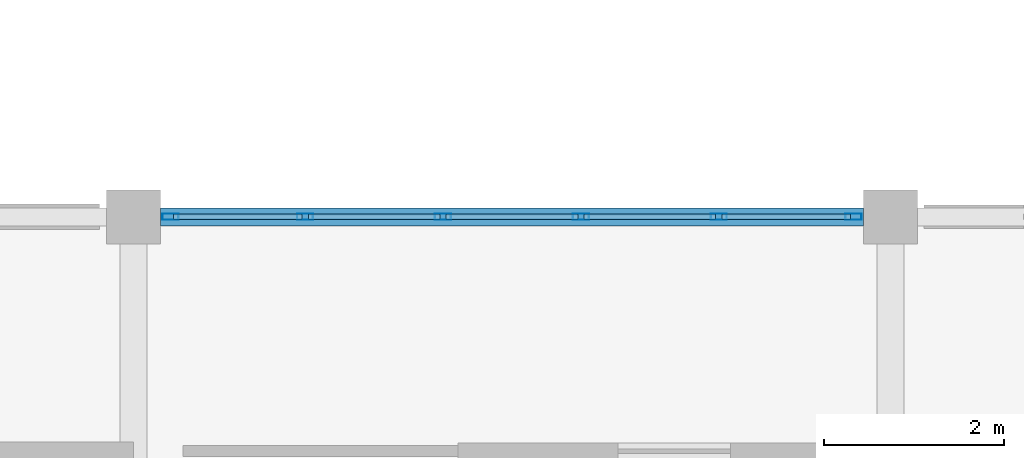
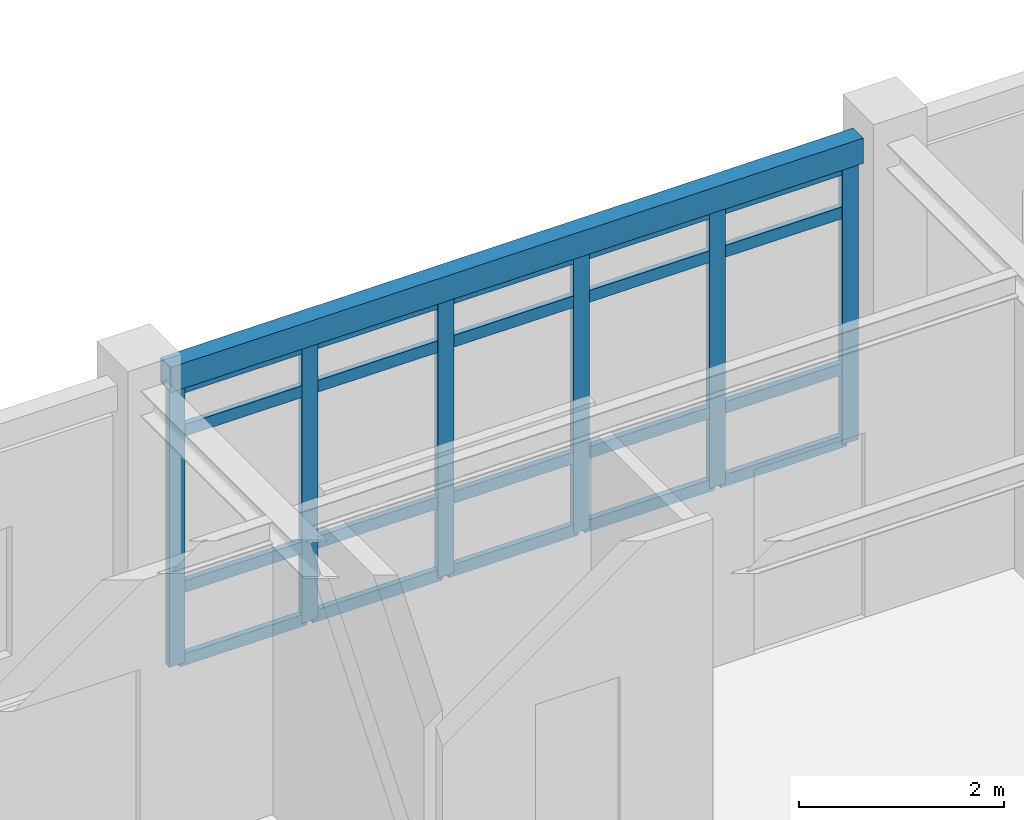
# One storey, part 8 of 70: 26 members, 1 beam, 1 element without a shape of its own.
"""IFC4 building model written with IfcOpenShell, lengths in metres."""

import ifcopenshell
import ifcopenshell.guid

model = None  # the IFC model being written
_history = None  # IfcOwnerHistory: only IFC2X3 demands one
_inside = {}  # id of a spatial element -> (the spatial element, [elements in it])
_under = {}  # id of a project, library or spatial element -> (it, [spatial elements below it])
_declared = {}  # id of a project -> (the project, [libraries it declares])
_typed = {}  # id of a type object -> (the type object, [elements of that type])
_made_of = {}  # id of a material, layer set ... -> (it, [elements and type objects made of it])


def new_model(schema):
    """Start an empty IFC model of exactly this schema.

    Asked for "IFC4X3", IfcOpenShell would pick the latest addendum, in which some entities
    have other attributes; the version numbers below select the first issue.
    IFC2X3 requires an IfcOwnerHistory on every rooted entity: one is made here for all.
    """
    global model, _history
    if schema == "IFC4X3":
        model = ifcopenshell.file(schema_version=(4, 3, 0, 0))
    else:
        model = ifcopenshell.file(schema=schema)
    _inside.clear()
    _under.clear()
    _declared.clear()
    _typed.clear()
    _made_of.clear()
    _history = None
    if model.schema == "IFC2X3":
        org = make("IfcOrganization", Name="unknown")
        user = make(
            "IfcPersonAndOrganization",
            ThePerson=make("IfcPerson", FamilyName="unknown"),
            TheOrganization=org,
        )
        app = make(
            "IfcApplication",
            ApplicationDeveloper=org,
            Version="unknown",
            ApplicationFullName="unknown",
            ApplicationIdentifier="unknown",
        )
        _history = make(
            "IfcOwnerHistory",
            OwningUser=user,
            OwningApplication=app,
            ChangeAction="ADDED",
            CreationDate=0,
        )
    return model


def make(cls, **values):
    """One entity of the class cls with the attributes given. An attribute that is None is left unset."""
    return model.create_entity(
        cls, **{name: value for name, value in values.items() if value is not None}
    )


def rooted(cls, **values):
    """An entity with a GlobalId (a new one), such as an element, a storey or a relation."""
    return make(cls, GlobalId=ifcopenshell.guid.new(), OwnerHistory=_history, **values)


def si_unit(unit_type, name, prefix=None):
    """IfcSIUnit, for example si_unit("LENGTHUNIT", "METRE", prefix="MILLI")."""
    return make("IfcSIUnit", UnitType=unit_type, Prefix=prefix, Name=name)


def assignment(units):
    """IfcUnitAssignment: the units of a project."""
    return None if units is None else make("IfcUnitAssignment", Units=units)


def point(xyz):
    """IfcCartesianPoint."""
    return None if xyz is None else make("IfcCartesianPoint", Coordinates=xyz)


def direction(xyz):
    """IfcDirection."""
    return None if xyz is None else make("IfcDirection", DirectionRatios=xyz)


def frame(location, z_axis=None, x_axis=None):
    """IfcAxis2Placement3D, a coordinate frame: its origin and axes. An axis left out is left unset."""
    return make(
        "IfcAxis2Placement3D",
        Location=point(location),
        Axis=direction(z_axis),
        RefDirection=direction(x_axis),
    )


def frame_2d(location, x_axis=None):
    """IfcAxis2Placement2D, a coordinate frame in the plane: its origin and x axis."""
    return make(
        "IfcAxis2Placement2D", Location=point(location), RefDirection=direction(x_axis)
    )


def origin():
    """The frame at (0, 0, 0) with its axes left unset."""
    return frame((0.0, 0.0, 0.0))


def origin_2d():
    """The frame at (0, 0) in the plane with its x axis left unset."""
    return frame_2d((0.0, 0.0))


def place(relative_to, where):
    """IfcLocalPlacement: puts the frame where relative to a parent placement (None: the world)."""
    return make(
        "IfcLocalPlacement", PlacementRelTo=relative_to, RelativePlacement=where
    )


def context(
    kind, dimensions, precision=None, world=None, true_north=None, identifier=None
):
    """IfcGeometricRepresentationContext, for example the 3D "Model" context."""
    return make(
        "IfcGeometricRepresentationContext",
        ContextIdentifier=identifier,
        ContextType=kind,
        CoordinateSpaceDimension=dimensions,
        Precision=precision,
        WorldCoordinateSystem=world,
        TrueNorth=true_north,
    )


def subcontext(parent, identifier, kind, view, scale=None):
    """IfcGeometricRepresentationSubContext, for example "Body" below "Model"."""
    return make(
        "IfcGeometricRepresentationSubContext",
        ContextIdentifier=identifier,
        ContextType=kind,
        ParentContext=parent,
        TargetScale=scale,
        TargetView=view,
    )


def project(units=None, contexts=None):
    """IfcProject with its units and contexts."""
    return rooted(
        "IfcProject",
        Name="project",
        RepresentationContexts=contexts,
        UnitsInContext=assignment(units),
    )


def spatial(cls, under=None, at=None, **own):
    """A site, building, storey or space (cls), placed at a placement, below another one or the project."""
    s = rooted(cls, ObjectPlacement=at, **own)
    if under is not None:
        _under.setdefault(under.id(), (under, []))[1].append(s)
    return s


def profile(cls, at=None, kind="AREA", **sizes):
    """A parametric profile (cls). Its sizes go by their IFC names, for example OverallWidth=200.0."""
    return make(cls, ProfileType=kind, Position=at, **sizes)


def hollow_rectangle(**sizes):
    """IfcRectangleHollowProfileDef."""
    return profile("IfcRectangleHollowProfileDef", **sizes)


def extrude(swept, where, along, depth):
    """IfcExtrudedAreaSolid: the profile swept, set in the frame where, extruded along a direction by depth."""
    return make(
        "IfcExtrudedAreaSolid",
        SweptArea=swept,
        Position=where,
        ExtrudedDirection=direction(along),
        Depth=depth,
    )


def shape(context_of_items, identifier, shape_type, items):
    """IfcShapeRepresentation: the items that make up one representation, for example the "Body"."""
    return make(
        "IfcShapeRepresentation",
        ContextOfItems=context_of_items,
        RepresentationIdentifier=identifier,
        RepresentationType=shape_type,
        Items=items,
    )


def material(Name=None, Category=None):
    """IfcMaterial."""
    return make("IfcMaterial", Name=Name, Category=Category)


def layer(
    of_material, thickness, ventilated=None, Name=None, Category=None, Priority=None
):
    """IfcMaterialLayer: one layer of a wall or slab, of a material (None: an air gap)."""
    return make(
        "IfcMaterialLayer",
        Material=of_material,
        LayerThickness=thickness,
        IsVentilated=ventilated,
        Name=Name,
        Category=Category,
        Priority=Priority,
    )


def layer_set(layers, Name=None):
    """IfcMaterialLayerSet."""
    return make("IfcMaterialLayerSet", MaterialLayers=layers, LayerSetName=Name)


def material_profile(
    of_material, cross_section, Name=None, Category=None, Priority=None
):
    """IfcMaterialProfile: a cross section and its material."""
    return make(
        "IfcMaterialProfile",
        Name=Name,
        Material=of_material,
        Profile=cross_section,
        Priority=Priority,
        Category=Category,
    )


def profile_set(profiles, Name=None, composite=None):
    """IfcMaterialProfileSet."""
    return make(
        "IfcMaterialProfileSet",
        Name=Name,
        MaterialProfiles=profiles,
        CompositeProfile=composite,
    )


def made_of(thing, what):
    """Note that an element or type object is made of a material, layer set ...; save() writes the relation."""
    if what is not None:
        _made_of.setdefault(what.id(), (what, []))[1].append(thing)
    return thing


def type_object(cls, material=None, **own):
    """A type object (cls), such as IfcWallType, which elements share."""
    return made_of(rooted(cls, **own), material)


def element(
    cls,
    number,
    at=None,
    inside=None,
    cuts=None,
    type_object=None,
    material=None,
    context=None,
    identifier="Body",
    shape_type=None,
    held_by="IfcProductDefinitionShape",
    body=None,
    shapes=None,
    **own,
):
    """One element of the class cls, such as IfcWall. Its Tag is "e" and its number.

    at: its placement. inside: the storey or other place that contains it. cuts: it is an
    opening in that element (IfcRelVoidsElement). A single representation is given by context,
    identifier, shape_type and body (its items); several are given by shapes. held_by: the class
    of the entity that holds the representations. save() writes the other relations.
    """
    e = rooted(cls, Tag="e%d" % number, ObjectPlacement=at, **own)
    if body is not None:
        shapes = [shape(context, identifier, shape_type, body)]
    if shapes is not None:
        e.Representation = make(held_by, Representations=shapes)
    if inside is not None:
        _inside.setdefault(inside.id(), (inside, []))[1].append(e)
    if cuts is not None:
        rooted(
            "IfcRelVoidsElement", RelatingBuildingElement=cuts, RelatedOpeningElement=e
        )
    if type_object is not None:
        _typed.setdefault(type_object.id(), (type_object, []))[1].append(e)
    return made_of(e, material)


def aggregate(whole, parts):
    """IfcRelAggregates: a whole, such as a stair, and the parts it consists of."""
    return rooted("IfcRelAggregates", RelatingObject=whole, RelatedObjects=parts)


def save(model, path):
    """Write the relations noted so far, then the file.

    IfcRelAggregates (storeys below a building ...), IfcRelContainedInSpatialStructure (elements
    in a storey), IfcRelDefinesByType, IfcRelAssociatesMaterial and IfcRelDeclares: one each for
    every whole, place, type object, material and project.
    """
    for whole, parts in _under.values():
        aggregate(whole, parts)
    for where, things in _inside.values():
        rooted(
            "IfcRelContainedInSpatialStructure",
            RelatedElements=things,
            RelatingStructure=where,
        )
    for kind, things in _typed.values():
        rooted("IfcRelDefinesByType", RelatedObjects=things, RelatingType=kind)
    for what, things in _made_of.values():
        rooted("IfcRelAssociatesMaterial", RelatedObjects=things, RelatingMaterial=what)
    for by, libraries in _declared.values():
        rooted("IfcRelDeclares", RelatingContext=by, RelatedDefinitions=libraries)
    model.write(path)


model = new_model("IFC4")

# Units and contexts
model_context = context("Model", 3, precision=1e-05, world=origin(), true_north=direction((0.0, 1.0)))
body_context = subcontext(model_context, "Body", "Model", "MODEL_VIEW")
ifc_project = project(units=[si_unit("LENGTHUNIT", "METRE"), si_unit("AREAUNIT", "SQUARE_METRE"), si_unit("VOLUMEUNIT", "CUBIC_METRE"), si_unit("PLANEANGLEUNIT", "RADIAN"), si_unit("MASSUNIT", "GRAM", prefix="KILO")], contexts=[model_context])

# Site, building, storey
site_placement = place(None, origin())
site = spatial("IfcSite", under=ifc_project, at=site_placement, CompositionType="ELEMENT")
building_placement = place(site_placement, origin())
building = spatial("IfcBuilding", under=site, at=building_placement, Name="Bramfleet General Hospital", CompositionType="ELEMENT")
storey_placement = place(building_placement, frame((0.0, 0.0, 22.5)))
storey = spatial("IfcBuildingStorey", under=building, at=storey_placement, Name="L05", CompositionType="ELEMENT", Elevation=22.5)

# Beam
ifc_material_1 = material(Name="Steel S355", Category="steel")
ifc_material_profile_1 = material_profile(ifc_material_1, hollow_rectangle(XDim=0.199951171875, YDim=0.300048828125, WallThickness=0.012451171875, at=origin_2d()), Name="RHS 300x200x12.5")
ifc_profile_set_1 = profile_set([ifc_material_profile_1], Name="Steel S355")
beam_type = type_object("IfcBeamType", Name="BM-RHS300", PredefinedType="SPANDREL", material=ifc_profile_set_1)
beam_placement = place(storey_placement, frame((126.300048828125, 25.199951171875, 3.469970703125), z_axis=(1.0, 0.0, 0.0), x_axis=(0.0, 1.0, 0.0)))
element("IfcBeam", 1, at=beam_placement, inside=storey, type_object=beam_type, Name="L05 Grid Beam X 15-03", PredefinedType="SPANDREL", context=body_context, shape_type="SweptSolid", body=[
    extrude(hollow_rectangle(XDim=0.199951171875, YDim=0.300048828125, WallThickness=0.012451171875, at=origin_2d()), origin(), (0.0, 0.0, 1.0), 7.800048828125),
])

# Curtain wall, members
ifc_material_2 = material(Name="Anodised aluminium and low-E triple glazing", Category="aluminium")
ifc_layer = layer(ifc_material_2, 0.179931640625, Name="CWT-CW-10")
ifc_layer_set = layer_set([ifc_layer], Name="Anodised aluminium and low-E triple glazing")
curtain_wall_type = type_object("IfcCurtainWallType", Name="CWT-CW-10", PredefinedType="USERDEFINED", material=ifc_layer_set)
curtain_wall_placement = place(storey_placement, origin())
curtain_wall = element("IfcCurtainWall", 2, at=curtain_wall_placement, inside=storey, type_object=curtain_wall_type, Name="L05 Curtain Wall 208", ObjectType="Stick curtain wall", PredefinedType="USERDEFINED")
ifc_material_3 = material(Name="Anodised aluminium EN AW-6060", Category="aluminium")
ifc_material_profile_2 = material_profile(ifc_material_3, hollow_rectangle(XDim=0.070068359375, YDim=0.179931640625, WallThickness=0.00390625, at=origin_2d()), Name="ALU 180x70x4.0")
ifc_profile_set_2 = profile_set([ifc_material_profile_2], Name="Anodised aluminium EN AW-6060")
member_type_1 = type_object("IfcMemberType", Name="CWM-ALU180", PredefinedType="MULLION", material=ifc_profile_set_2)
member_1_placement = place(storey_placement, frame((126.409912109375, 25.199951171875, 0.0), z_axis=(0.0, 0.0, 1.0), x_axis=(0.0, 1.0, 0.0)))
member_1 = element("IfcMember", 3, at=member_1_placement, type_object=member_type_1, Name="CW-10 mullion 1", PredefinedType="MULLION", context=body_context, shape_type="SweptSolid", body=[
    extrude(hollow_rectangle(XDim=0.070068359375, YDim=0.179931640625, WallThickness=0.00390625, at=origin_2d()), origin(), (0.0, 0.0, 1.0), 3.31005859375),
])
member_2_placement = place(storey_placement, frame((127.905029296875, 25.199951171875, 0.0), z_axis=(0.0, 0.0, 1.0), x_axis=(0.0, 1.0, 0.0)))
member_2 = element("IfcMember", 4, at=member_2_placement, type_object=member_type_1, Name="CW-10 mullion 2", PredefinedType="MULLION", context=body_context, shape_type="SweptSolid", body=[
    extrude(hollow_rectangle(XDim=0.070068359375, YDim=0.179931640625, WallThickness=0.00390625, at=origin_2d()), origin(), (0.0, 0.0, 1.0), 3.31005859375),
])
member_3_placement = place(storey_placement, frame((129.43505859375, 25.199951171875, 0.0), z_axis=(0.0, 0.0, 1.0), x_axis=(0.0, 1.0, 0.0)))
member_3 = element("IfcMember", 5, at=member_3_placement, type_object=member_type_1, Name="CW-10 mullion 3", PredefinedType="MULLION", context=body_context, shape_type="SweptSolid", body=[
    extrude(hollow_rectangle(XDim=0.070068359375, YDim=0.179931640625, WallThickness=0.00390625, at=origin_2d()), origin(), (0.0, 0.0, 1.0), 3.31005859375),
])
member_4_placement = place(storey_placement, frame((130.965087890625, 25.199951171875, 0.0), z_axis=(0.0, 0.0, 1.0), x_axis=(0.0, 1.0, 0.0)))
member_4 = element("IfcMember", 6, at=member_4_placement, type_object=member_type_1, Name="CW-10 mullion 4", PredefinedType="MULLION", context=body_context, shape_type="SweptSolid", body=[
    extrude(hollow_rectangle(XDim=0.070068359375, YDim=0.179931640625, WallThickness=0.00390625, at=origin_2d()), origin(), (0.0, 0.0, 1.0), 3.31005859375),
])
member_5_placement = place(storey_placement, frame((132.4951171875, 25.199951171875, 0.0), z_axis=(0.0, 0.0, 1.0), x_axis=(0.0, 1.0, 0.0)))
member_5 = element("IfcMember", 7, at=member_5_placement, type_object=member_type_1, Name="CW-10 mullion 5", PredefinedType="MULLION", context=body_context, shape_type="SweptSolid", body=[
    extrude(hollow_rectangle(XDim=0.070068359375, YDim=0.179931640625, WallThickness=0.00390625, at=origin_2d()), origin(), (0.0, 0.0, 1.0), 3.31005859375),
])
member_6_placement = place(storey_placement, frame((133.989990234375, 25.199951171875, 0.0), z_axis=(0.0, 0.0, 1.0), x_axis=(0.0, 1.0, 0.0)))
member_6 = element("IfcMember", 8, at=member_6_placement, type_object=member_type_1, Name="CW-10 mullion 6", PredefinedType="MULLION", context=body_context, shape_type="SweptSolid", body=[
    extrude(hollow_rectangle(XDim=0.070068359375, YDim=0.179931640625, WallThickness=0.00390625, at=origin_2d()), origin(), (0.0, 0.0, 1.0), 3.31005859375),
])
ifc_material_profile_3 = material_profile(ifc_material_3, hollow_rectangle(XDim=0.06494140625, YDim=0.139892578125, WallThickness=0.00390625, at=origin_2d()), Name="ALU 140x65x4.0")
ifc_profile_set_3 = profile_set([ifc_material_profile_3], Name="Anodised aluminium EN AW-6060")
member_type_2 = type_object("IfcMemberType", Name="CWT-ALU140", PredefinedType="USERDEFINED", material=ifc_profile_set_3)
member_7_placement = place(storey_placement, frame((126.445068359375, 25.199951171875, 0.032470703125), z_axis=(1.0, 0.0, 0.0), x_axis=(0.0, 1.0, 0.0)))
member_7 = element("IfcMember", 9, at=member_7_placement, type_object=member_type_2, Name="CW-10 transom 1.1", ObjectType="TRANSOM", PredefinedType="USERDEFINED", context=body_context, shape_type="SweptSolid", body=[
    extrude(hollow_rectangle(XDim=0.06494140625, YDim=0.139892578125, WallThickness=0.00390625, at=origin_2d()), origin(), (0.0, 0.0, 1.0), 1.425048828125),
])
member_8_placement = place(storey_placement, frame((126.445068359375, 25.199951171875, 0.89990234375), z_axis=(1.0, 0.0, 0.0), x_axis=(0.0, 1.0, 0.0)))
member_8 = element("IfcMember", 10, at=member_8_placement, type_object=member_type_2, Name="CW-10 transom 1.2", ObjectType="TRANSOM", PredefinedType="USERDEFINED", context=body_context, shape_type="SweptSolid", body=[
    extrude(hollow_rectangle(XDim=0.06494140625, YDim=0.139892578125, WallThickness=0.00390625, at=origin_2d()), origin(), (0.0, 0.0, 1.0), 1.425048828125),
])
member_9_placement = place(storey_placement, frame((126.445068359375, 25.199951171875, 2.760009765625), z_axis=(1.0, 0.0, 0.0), x_axis=(0.0, 1.0, 0.0)))
member_9 = element("IfcMember", 11, at=member_9_placement, type_object=member_type_2, Name="CW-10 transom 1.3", ObjectType="TRANSOM", PredefinedType="USERDEFINED", context=body_context, shape_type="SweptSolid", body=[
    extrude(hollow_rectangle(XDim=0.06494140625, YDim=0.139892578125, WallThickness=0.00390625, at=origin_2d()), origin(), (0.0, 0.0, 1.0), 1.425048828125),
])
member_10_placement = place(storey_placement, frame((126.445068359375, 25.199951171875, 3.277587890625), z_axis=(1.0, 0.0, 0.0), x_axis=(0.0, 1.0, 0.0)))
member_10 = element("IfcMember", 12, at=member_10_placement, type_object=member_type_2, Name="CW-10 transom 1.4", ObjectType="TRANSOM", PredefinedType="USERDEFINED", context=body_context, shape_type="SweptSolid", body=[
    extrude(hollow_rectangle(XDim=0.06494140625, YDim=0.139892578125, WallThickness=0.00390625, at=origin_2d()), origin(), (0.0, 0.0, 1.0), 1.425048828125),
])
member_11_placement = place(storey_placement, frame((127.93994140625, 25.199951171875, 0.032470703125), z_axis=(1.0, 0.0, 0.0), x_axis=(0.0, 1.0, 0.0)))
member_11 = element("IfcMember", 13, at=member_11_placement, type_object=member_type_2, Name="CW-10 transom 2.1", ObjectType="TRANSOM", PredefinedType="USERDEFINED", context=body_context, shape_type="SweptSolid", body=[
    extrude(hollow_rectangle(XDim=0.06494140625, YDim=0.139892578125, WallThickness=0.00390625, at=origin_2d()), origin(), (0.0, 0.0, 1.0), 1.4599609375),
])
member_12_placement = place(storey_placement, frame((127.93994140625, 25.199951171875, 0.89990234375), z_axis=(1.0, 0.0, 0.0), x_axis=(0.0, 1.0, 0.0)))
member_12 = element("IfcMember", 14, at=member_12_placement, type_object=member_type_2, Name="CW-10 transom 2.2", ObjectType="TRANSOM", PredefinedType="USERDEFINED", context=body_context, shape_type="SweptSolid", body=[
    extrude(hollow_rectangle(XDim=0.06494140625, YDim=0.139892578125, WallThickness=0.00390625, at=origin_2d()), origin(), (0.0, 0.0, 1.0), 1.4599609375),
])
member_13_placement = place(storey_placement, frame((127.93994140625, 25.199951171875, 2.760009765625), z_axis=(1.0, 0.0, 0.0), x_axis=(0.0, 1.0, 0.0)))
member_13 = element("IfcMember", 15, at=member_13_placement, type_object=member_type_2, Name="CW-10 transom 2.3", ObjectType="TRANSOM", PredefinedType="USERDEFINED", context=body_context, shape_type="SweptSolid", body=[
    extrude(hollow_rectangle(XDim=0.06494140625, YDim=0.139892578125, WallThickness=0.00390625, at=origin_2d()), origin(), (0.0, 0.0, 1.0), 1.4599609375),
])
member_14_placement = place(storey_placement, frame((127.93994140625, 25.199951171875, 3.277587890625), z_axis=(1.0, 0.0, 0.0), x_axis=(0.0, 1.0, 0.0)))
member_14 = element("IfcMember", 16, at=member_14_placement, type_object=member_type_2, Name="CW-10 transom 2.4", ObjectType="TRANSOM", PredefinedType="USERDEFINED", context=body_context, shape_type="SweptSolid", body=[
    extrude(hollow_rectangle(XDim=0.06494140625, YDim=0.139892578125, WallThickness=0.00390625, at=origin_2d()), origin(), (0.0, 0.0, 1.0), 1.4599609375),
])
member_15_placement = place(storey_placement, frame((129.469970703125, 25.199951171875, 0.032470703125), z_axis=(1.0, 0.0, 0.0), x_axis=(0.0, 1.0, 0.0)))
member_15 = element("IfcMember", 17, at=member_15_placement, type_object=member_type_2, Name="CW-10 transom 3.1", ObjectType="TRANSOM", PredefinedType="USERDEFINED", context=body_context, shape_type="SweptSolid", body=[
    extrude(hollow_rectangle(XDim=0.06494140625, YDim=0.139892578125, WallThickness=0.00390625, at=origin_2d()), origin(), (0.0, 0.0, 1.0), 1.4599609375),
])
member_16_placement = place(storey_placement, frame((129.469970703125, 25.199951171875, 0.89990234375), z_axis=(1.0, 0.0, 0.0), x_axis=(0.0, 1.0, 0.0)))
member_16 = element("IfcMember", 18, at=member_16_placement, type_object=member_type_2, Name="CW-10 transom 3.2", ObjectType="TRANSOM", PredefinedType="USERDEFINED", context=body_context, shape_type="SweptSolid", body=[
    extrude(hollow_rectangle(XDim=0.06494140625, YDim=0.139892578125, WallThickness=0.00390625, at=origin_2d()), origin(), (0.0, 0.0, 1.0), 1.4599609375),
])
member_17_placement = place(storey_placement, frame((129.469970703125, 25.199951171875, 2.760009765625), z_axis=(1.0, 0.0, 0.0), x_axis=(0.0, 1.0, 0.0)))
member_17 = element("IfcMember", 19, at=member_17_placement, type_object=member_type_2, Name="CW-10 transom 3.3", ObjectType="TRANSOM", PredefinedType="USERDEFINED", context=body_context, shape_type="SweptSolid", body=[
    extrude(hollow_rectangle(XDim=0.06494140625, YDim=0.139892578125, WallThickness=0.00390625, at=origin_2d()), origin(), (0.0, 0.0, 1.0), 1.4599609375),
])
member_18_placement = place(storey_placement, frame((129.469970703125, 25.199951171875, 3.277587890625), z_axis=(1.0, 0.0, 0.0), x_axis=(0.0, 1.0, 0.0)))
member_18 = element("IfcMember", 20, at=member_18_placement, type_object=member_type_2, Name="CW-10 transom 3.4", ObjectType="TRANSOM", PredefinedType="USERDEFINED", context=body_context, shape_type="SweptSolid", body=[
    extrude(hollow_rectangle(XDim=0.06494140625, YDim=0.139892578125, WallThickness=0.00390625, at=origin_2d()), origin(), (0.0, 0.0, 1.0), 1.4599609375),
])
member_19_placement = place(storey_placement, frame((131.0, 25.199951171875, 0.032470703125), z_axis=(1.0, 0.0, 0.0), x_axis=(0.0, 1.0, 0.0)))
member_19 = element("IfcMember", 21, at=member_19_placement, type_object=member_type_2, Name="CW-10 transom 4.1", ObjectType="TRANSOM", PredefinedType="USERDEFINED", context=body_context, shape_type="SweptSolid", body=[
    extrude(hollow_rectangle(XDim=0.06494140625, YDim=0.139892578125, WallThickness=0.00390625, at=origin_2d()), origin(), (0.0, 0.0, 1.0), 1.4599609375),
])
member_20_placement = place(storey_placement, frame((131.0, 25.199951171875, 0.89990234375), z_axis=(1.0, 0.0, 0.0), x_axis=(0.0, 1.0, 0.0)))
member_20 = element("IfcMember", 22, at=member_20_placement, type_object=member_type_2, Name="CW-10 transom 4.2", ObjectType="TRANSOM", PredefinedType="USERDEFINED", context=body_context, shape_type="SweptSolid", body=[
    extrude(hollow_rectangle(XDim=0.06494140625, YDim=0.139892578125, WallThickness=0.00390625, at=origin_2d()), origin(), (0.0, 0.0, 1.0), 1.4599609375),
])
member_21_placement = place(storey_placement, frame((131.0, 25.199951171875, 2.760009765625), z_axis=(1.0, 0.0, 0.0), x_axis=(0.0, 1.0, 0.0)))
member_21 = element("IfcMember", 23, at=member_21_placement, type_object=member_type_2, Name="CW-10 transom 4.3", ObjectType="TRANSOM", PredefinedType="USERDEFINED", context=body_context, shape_type="SweptSolid", body=[
    extrude(hollow_rectangle(XDim=0.06494140625, YDim=0.139892578125, WallThickness=0.00390625, at=origin_2d()), origin(), (0.0, 0.0, 1.0), 1.4599609375),
])
member_22_placement = place(storey_placement, frame((131.0, 25.199951171875, 3.277587890625), z_axis=(1.0, 0.0, 0.0), x_axis=(0.0, 1.0, 0.0)))
member_22 = element("IfcMember", 24, at=member_22_placement, type_object=member_type_2, Name="CW-10 transom 4.4", ObjectType="TRANSOM", PredefinedType="USERDEFINED", context=body_context, shape_type="SweptSolid", body=[
    extrude(hollow_rectangle(XDim=0.06494140625, YDim=0.139892578125, WallThickness=0.00390625, at=origin_2d()), origin(), (0.0, 0.0, 1.0), 1.4599609375),
])
member_23_placement = place(storey_placement, frame((132.530029296875, 25.199951171875, 0.032470703125), z_axis=(1.0, 0.0, 0.0), x_axis=(0.0, 1.0, 0.0)))
member_23 = element("IfcMember", 25, at=member_23_placement, type_object=member_type_2, Name="CW-10 transom 5.1", ObjectType="TRANSOM", PredefinedType="USERDEFINED", context=body_context, shape_type="SweptSolid", body=[
    extrude(hollow_rectangle(XDim=0.06494140625, YDim=0.139892578125, WallThickness=0.00390625, at=origin_2d()), origin(), (0.0, 0.0, 1.0), 1.425048828125),
])
member_24_placement = place(storey_placement, frame((132.530029296875, 25.199951171875, 0.89990234375), z_axis=(1.0, 0.0, 0.0), x_axis=(0.0, 1.0, 0.0)))
member_24 = element("IfcMember", 26, at=member_24_placement, type_object=member_type_2, Name="CW-10 transom 5.2", ObjectType="TRANSOM", PredefinedType="USERDEFINED", context=body_context, shape_type="SweptSolid", body=[
    extrude(hollow_rectangle(XDim=0.06494140625, YDim=0.139892578125, WallThickness=0.00390625, at=origin_2d()), origin(), (0.0, 0.0, 1.0), 1.425048828125),
])
member_25_placement = place(storey_placement, frame((132.530029296875, 25.199951171875, 2.760009765625), z_axis=(1.0, 0.0, 0.0), x_axis=(0.0, 1.0, 0.0)))
member_25 = element("IfcMember", 27, at=member_25_placement, type_object=member_type_2, Name="CW-10 transom 5.3", ObjectType="TRANSOM", PredefinedType="USERDEFINED", context=body_context, shape_type="SweptSolid", body=[
    extrude(hollow_rectangle(XDim=0.06494140625, YDim=0.139892578125, WallThickness=0.00390625, at=origin_2d()), origin(), (0.0, 0.0, 1.0), 1.425048828125),
])
member_26_placement = place(storey_placement, frame((132.530029296875, 25.199951171875, 3.277587890625), z_axis=(1.0, 0.0, 0.0), x_axis=(0.0, 1.0, 0.0)))
member_26 = element("IfcMember", 28, at=member_26_placement, type_object=member_type_2, Name="CW-10 transom 5.4", ObjectType="TRANSOM", PredefinedType="USERDEFINED", context=body_context, shape_type="SweptSolid", body=[
    extrude(hollow_rectangle(XDim=0.06494140625, YDim=0.139892578125, WallThickness=0.00390625, at=origin_2d()), origin(), (0.0, 0.0, 1.0), 1.425048828125),
])
aggregate(curtain_wall, [member_1, member_2, member_3, member_4, member_5, member_6, member_7, member_8, member_9, member_10, member_11, member_12, member_13, member_14, member_15, member_16, member_17, member_18, member_19, member_20, member_21, member_22, member_23, member_24, member_25, member_26])

save(model, "model.ifc")
